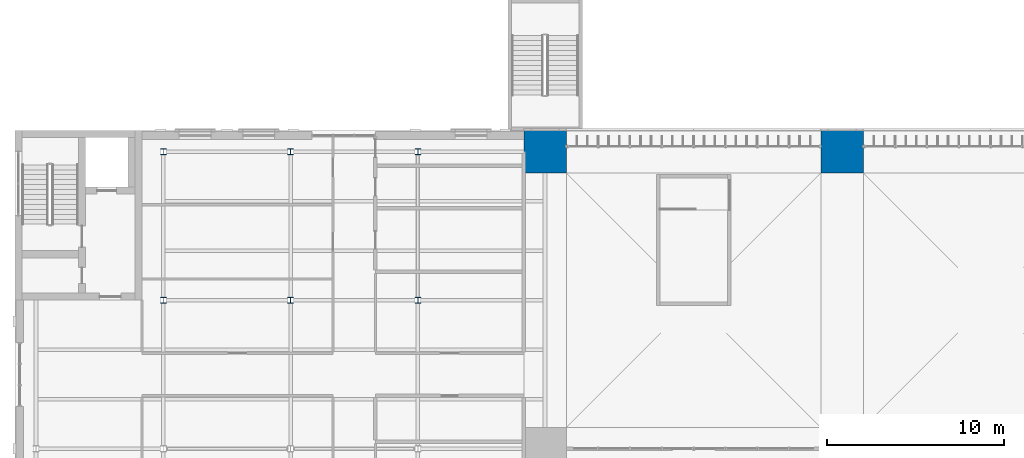
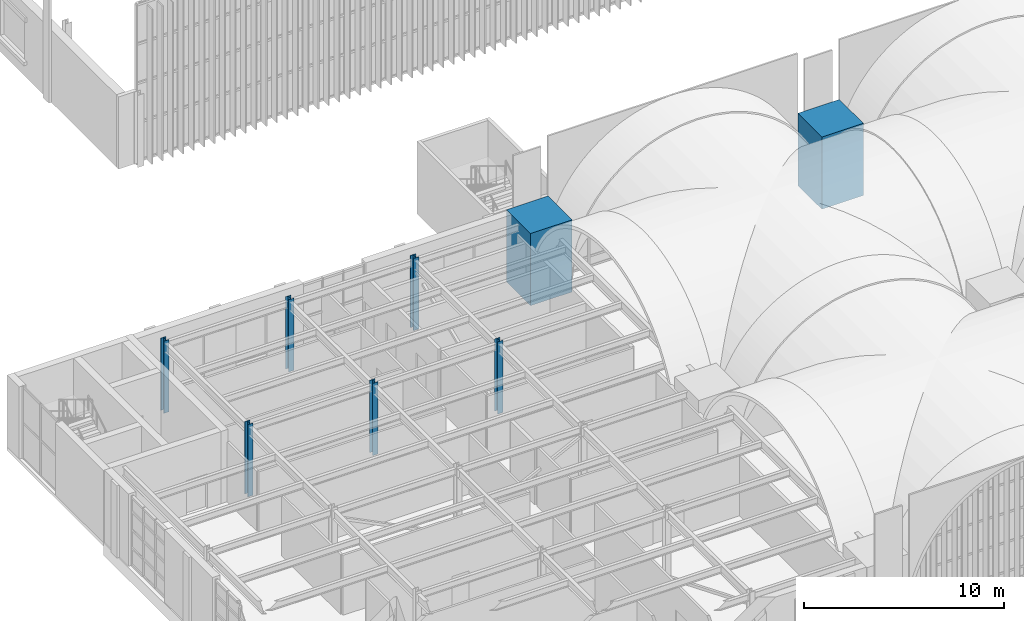
# One storey, part 3 of 169: 8 columns.
"""IFC4 building model written with IfcOpenShell, lengths in metres."""

from ifc_helpers import new_model, si_unit, direction, frame, origin, origin_2d, place, context, subcontext, project, spatial, rectangle, i_section, extrude, material, material_profile, profile_set, type_object, element, save


model = new_model("IFC4")

# Units and contexts
model_context = context("Model", 3, precision=1e-05, world=origin(), true_north=direction((0.0, 1.0)))
body_context = subcontext(model_context, "Body", "Model", "MODEL_VIEW")
ifc_project = project(units=[si_unit("LENGTHUNIT", "METRE"), si_unit("AREAUNIT", "SQUARE_METRE"), si_unit("VOLUMEUNIT", "CUBIC_METRE"), si_unit("PLANEANGLEUNIT", "RADIAN"), si_unit("MASSUNIT", "GRAM", prefix="KILO")], contexts=[model_context])

# Site, building, storey
site_placement = place(None, origin())
site = spatial("IfcSite", under=ifc_project, at=site_placement, CompositionType="ELEMENT")
building_placement = place(site_placement, origin())
building = spatial("IfcBuilding", under=site, at=building_placement, Name="Verrick Yard Athletic Hall", CompositionType="ELEMENT")
storey_placement = place(building_placement, frame((0.0, 0.0, 4.39990234375)))
storey = spatial("IfcBuildingStorey", under=building, at=storey_placement, Name="L01", CompositionType="ELEMENT", Elevation=4.39990234375)

# Columns
ifc_material_1 = material(Name="Concrete 35 MPa", Category="concrete")
ifc_material_profile_1 = material_profile(ifc_material_1, rectangle(XDim=2.39990234375, YDim=2.39990234375, at=origin_2d()), Name="STR Buttress pier PR1")
ifc_profile_set_1 = profile_set([ifc_material_profile_1], Name="Concrete 35 MPa")
column_type_1 = type_object("IfcColumnType", Name="STR Buttress pier PR1", PredefinedType="COLUMN", material=ifc_profile_set_1)
for number, where, z_axis, x_axis, name in (
    (1, (40.0, 52.800048828125, 0.0), (0.0, 0.0, 1.0), (1.0, 0.0, 0.0), "Buttress pier P1C"),
    (2, (56.800048828125, 52.800048828125, 0.0), (0.0, 0.0, 1.0), (1.0, 0.0, 0.0), "Buttress pier P2C"),
):
    element("IfcColumn", number, at=place(storey_placement, frame(where, z_axis=z_axis, x_axis=x_axis)), inside=storey, type_object=column_type_1, Name=name, PredefinedType="COLUMN", context=body_context, shape_type="SweptSolid", body=[
        extrude(rectangle(XDim=2.39990234375, YDim=2.39990234375, at=origin_2d()), origin(), (0.0, 0.0, 1.0), 4.400146484375),
    ])
ifc_material_2 = material(Name="Structural steel 350W (CSA G40.21)", Category="steel")
ifc_material_profile_2 = material_profile(ifc_material_2, i_section(OverallWidth=0.30908203125, OverallDepth=0.322998046875, WebThickness=0.013916015625, FlangeThickness=0.02294921875, at=origin_2d()), Name="W310x143")
ifc_profile_set_2 = profile_set([ifc_material_profile_2], Name="Structural steel 350W (CSA G40.21)")
column_type_2 = type_object("IfcColumnType", Name="STR Wing column W310x143", PredefinedType="COLUMN", material=ifc_profile_set_2)
for number, where, z_axis, x_axis, name in (
    (3, (18.39990234375, 44.39990234375, 0.0), (0.0, 0.0, 1.0), (1.0, 0.0, 0.0), "Wing column WC24"),
    (4, (18.39990234375, 52.800048828125, 0.0), (0.0, 0.0, 1.0), (1.0, 0.0, 0.0), "Wing column WC25"),
    (5, (25.60009765625, 44.39990234375, 0.0), (0.0, 0.0, 1.0), (1.0, 0.0, 0.0), "Wing column WC34"),
    (6, (25.60009765625, 52.800048828125, 0.0), (0.0, 0.0, 1.0), (1.0, 0.0, 0.0), "Wing column WC35"),
    (7, (32.800048828125, 44.39990234375, 0.0), (0.0, 0.0, 1.0), (1.0, 0.0, 0.0), "Wing column WC44"),
    (8, (32.800048828125, 52.800048828125, 0.0), (0.0, 0.0, 1.0), (1.0, 0.0, 0.0), "Wing column WC45"),
):
    element("IfcColumn", number, at=place(storey_placement, frame(where, z_axis=z_axis, x_axis=x_axis)), inside=storey, type_object=column_type_2, Name=name, PredefinedType="COLUMN", context=body_context, shape_type="SweptSolid", body=[
        extrude(i_section(OverallWidth=0.30908203125, OverallDepth=0.322998046875, WebThickness=0.013916015625, FlangeThickness=0.02294921875, at=origin_2d()), origin(), (0.0, 0.0, 1.0), 4.400146484375),
    ])

save(model, "model.ifc")
